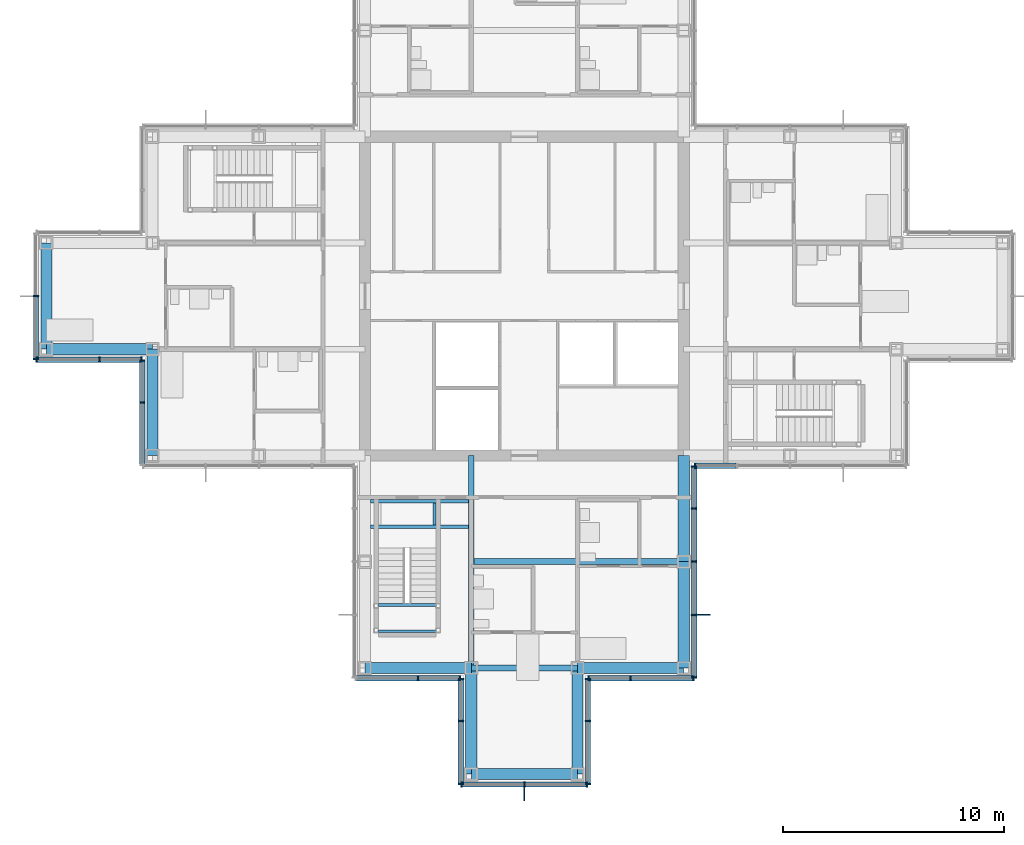
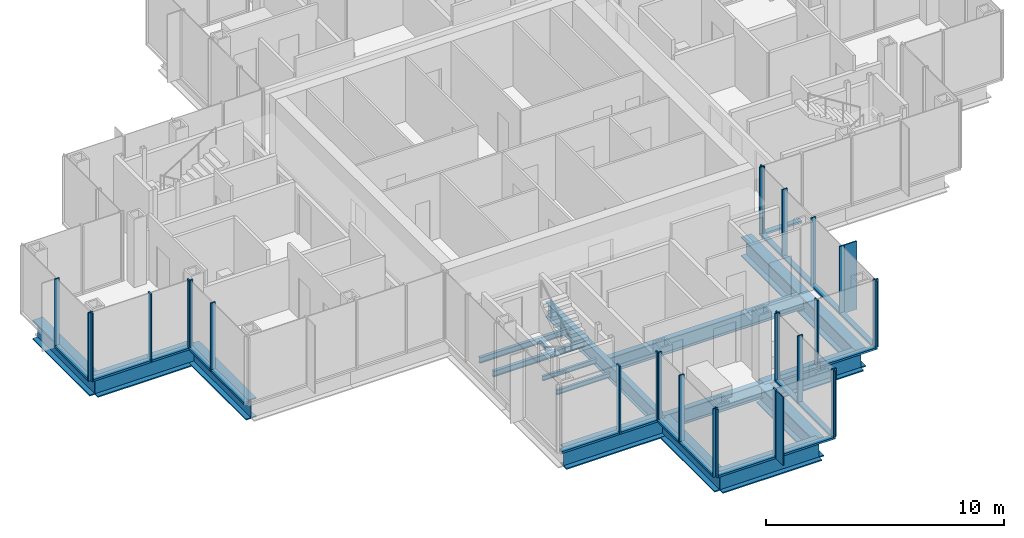
# One storey, part 6 of 17: 49 members, 18 beams, 10 elements without a shape of their own.
"""IFC4 building model written with IfcOpenShell, lengths in metres."""

from ifc_helpers import new_model, si_unit, direction, frame, origin, origin_2d, place, context, subcontext, project, spatial, rectangle, i_section, extrude, material, material_profile, profile_set, type_object, element, aggregate, save


model = new_model("IFC4")

# Units and contexts
model_context = context("Model", 3, precision=1e-05, world=origin(), true_north=direction((0.0, 1.0)))
body_context = subcontext(model_context, "Body", "Model", "MODEL_VIEW")
ifc_project = project(units=[si_unit("LENGTHUNIT", "METRE"), si_unit("AREAUNIT", "SQUARE_METRE"), si_unit("VOLUMEUNIT", "CUBIC_METRE"), si_unit("PLANEANGLEUNIT", "RADIAN"), si_unit("MASSUNIT", "GRAM", prefix="KILO")], contexts=[model_context])

# Site, building, storey
site_placement = place(None, origin())
site = spatial("IfcSite", under=ifc_project, at=site_placement, CompositionType="ELEMENT")
building_placement = place(site_placement, origin())
building = spatial("IfcBuilding", under=site, at=building_placement, Name="Kvirike Care Tower", CompositionType="ELEMENT")
storey_placement = place(building_placement, frame((0.0, 0.0, 176.0)))
storey = spatial("IfcBuildingStorey", under=building, at=storey_placement, Name="L48", CompositionType="ELEMENT", Elevation=176.0)

# Curtain wall, member
ifc_material_1 = material(Name="Anodised aluminium stick system", Category="aluminium")
curtain_wall_type = type_object("IfcCurtainWallType", Name="CW-C STICK CURTAIN WALL", PredefinedType="NOTDEFINED", material=ifc_material_1)
curtain_wall_1_placement = place(storey_placement, origin())
curtain_wall_1 = element("IfcCurtainWall", 1, at=curtain_wall_1_placement, inside=storey, type_object=curtain_wall_type, Name="Curtain wall L48 face 25", PredefinedType="NOTDEFINED")
ifc_material_2 = material(Name="Bronze anodised aluminium fin", Category="aluminium")
ifc_material_profile_1 = material_profile(ifc_material_2, rectangle(XDim=0.050048828125, YDim=0.60009765625, at=origin_2d()), Name="BRONZE FIN 600")
ifc_profile_set_1 = profile_set([ifc_material_profile_1], Name="Bronze anodised aluminium fin")
member_type_1 = type_object("IfcMemberType", Name="BRONZE FIN 600", PredefinedType="USERDEFINED", material=ifc_profile_set_1)
member_1_placement = place(storey_placement, frame((21.60009765625, 13.510009765625, 0.0), z_axis=(0.0, 0.0, 1.0), x_axis=(1.0, 0.0, 0.0)))
member_1 = element("IfcMember", 2, at=member_1_placement, type_object=member_type_1, Name="Bronze fin L48 face 25.2", ObjectType="FIN", PredefinedType="USERDEFINED", context=body_context, shape_type="SweptSolid", body=[
    extrude(rectangle(XDim=0.050048828125, YDim=0.60009765625, at=origin_2d()), origin(), (0.0, 0.0, 1.0), 3.5),
])

curtain_wall_2_placement = place(storey_placement, origin())
curtain_wall_2 = element("IfcCurtainWall", 3, at=curtain_wall_2_placement, inside=storey, type_object=curtain_wall_type, Name="Curtain wall L48 face 28", PredefinedType="NOTDEFINED")
member_2_placement = place(storey_placement, frame((29.68994140625, 21.60009765625, 0.0), z_axis=(0.0, 0.0, 1.0), x_axis=(0.0, 1.0, 0.0)))
member_2 = element("IfcMember", 4, at=member_2_placement, type_object=member_type_1, Name="Bronze fin L48 face 28.2", ObjectType="FIN", PredefinedType="USERDEFINED", context=body_context, shape_type="SweptSolid", body=[
    extrude(rectangle(XDim=0.050048828125, YDim=0.60009765625, at=origin_2d()), origin(), (0.0, 0.0, 1.0), 3.5),
])

curtain_wall_3_placement = place(storey_placement, origin())
curtain_wall_3 = element("IfcCurtainWall", 5, at=curtain_wall_3_placement, inside=storey, type_object=curtain_wall_type, Name="Curtain wall L48 face 1", PredefinedType="NOTDEFINED")
ifc_material_3 = material(Name="Bronze anodised aluminium mullion", Category="aluminium")
ifc_material_profile_2 = material_profile(ifc_material_3, rectangle(XDim=0.06494140625, YDim=0.239990234375, at=origin_2d()), Name="CW-C MULLION 65x240")
ifc_profile_set_2 = profile_set([ifc_material_profile_2], Name="Bronze anodised aluminium mullion")
member_type_2 = type_object("IfcMemberType", Name="CW-C MULLION 65x240", PredefinedType="MULLION", material=ifc_profile_set_2)
member_3_placement = place(storey_placement, frame((29.302490234375, 28.330078125, 0.0), z_axis=(0.0, 0.0, 1.0), x_axis=(1.0, 0.0, 0.0)))
member_3 = element("IfcMember", 6, at=member_3_placement, type_object=member_type_2, Name="CW-C mullion L48 face 1.1", PredefinedType="MULLION", context=body_context, shape_type="SweptSolid", body=[
    extrude(rectangle(XDim=0.06494140625, YDim=0.239990234375, at=origin_2d()), origin(), (0.0, 0.0, 1.0), 3.5),
])

# Curtain wall, members
curtain_wall_4_placement = place(storey_placement, origin())
curtain_wall_4 = element("IfcCurtainWall", 7, at=curtain_wall_4_placement, inside=storey, type_object=curtain_wall_type, Name="Curtain wall L48 face 18", PredefinedType="NOTDEFINED")
member_4_placement = place(storey_placement, frame((-0.469970703125, 36.0, 0.0), z_axis=(0.0, 0.0, 1.0), x_axis=(0.0, -1.0, 0.0)))
member_4 = element("IfcMember", 8, at=member_4_placement, type_object=member_type_2, Name="CW-C mullion L48 face 18.2", PredefinedType="MULLION", context=body_context, shape_type="SweptSolid", body=[
    extrude(rectangle(XDim=0.06494140625, YDim=0.239990234375, at=origin_2d()), origin(), (0.0, 0.0, 1.0), 3.5),
])
member_5_placement = place(storey_placement, frame((-0.469970703125, 33.16259765625, 0.0), z_axis=(0.0, 0.0, 1.0), x_axis=(0.0, -1.0, 0.0)))
member_5 = element("IfcMember", 9, at=member_5_placement, type_object=member_type_2, Name="CW-C mullion L48 face 18.3", PredefinedType="MULLION", context=body_context, shape_type="SweptSolid", body=[
    extrude(rectangle(XDim=0.06494140625, YDim=0.239990234375, at=origin_2d()), origin(), (0.0, 0.0, 1.0), 3.5),
])

curtain_wall_5_placement = place(storey_placement, origin())
curtain_wall_5 = element("IfcCurtainWall", 10, at=curtain_wall_5_placement, inside=storey, type_object=curtain_wall_type, Name="Curtain wall L48 face 19", PredefinedType="NOTDEFINED")
member_6_placement = place(storey_placement, frame((-0.4375, 33.1298828125, 0.0), z_axis=(0.0, 0.0, 1.0), x_axis=(1.0, 0.0, 0.0)))
member_6 = element("IfcMember", 11, at=member_6_placement, type_object=member_type_2, Name="CW-C mullion L48 face 19.1", PredefinedType="MULLION", context=body_context, shape_type="SweptSolid", body=[
    extrude(rectangle(XDim=0.06494140625, YDim=0.239990234375, at=origin_2d()), origin(), (0.0, 0.0, 1.0), 3.5),
])
member_7_placement = place(storey_placement, frame((2.39990234375, 33.1298828125, 0.0), z_axis=(0.0, 0.0, 1.0), x_axis=(1.0, 0.0, 0.0)))
member_7 = element("IfcMember", 12, at=member_7_placement, type_object=member_type_2, Name="CW-C mullion L48 face 19.2", PredefinedType="MULLION", context=body_context, shape_type="SweptSolid", body=[
    extrude(rectangle(XDim=0.06494140625, YDim=0.239990234375, at=origin_2d()), origin(), (0.0, 0.0, 1.0), 3.5),
])
member_8_placement = place(storey_placement, frame((4.297607421875, 33.1298828125, 0.0), z_axis=(0.0, 0.0, 1.0), x_axis=(1.0, 0.0, 0.0)))
member_8 = element("IfcMember", 13, at=member_8_placement, type_object=member_type_2, Name="CW-C mullion L48 face 19.3", PredefinedType="MULLION", context=body_context, shape_type="SweptSolid", body=[
    extrude(rectangle(XDim=0.06494140625, YDim=0.239990234375, at=origin_2d()), origin(), (0.0, 0.0, 1.0), 3.5),
])

curtain_wall_6_placement = place(storey_placement, origin())
curtain_wall_6 = element("IfcCurtainWall", 14, at=curtain_wall_6_placement, inside=storey, type_object=curtain_wall_type, Name="Curtain wall L48 face 20", PredefinedType="NOTDEFINED")
member_9_placement = place(storey_placement, frame((4.330078125, 33.097412109375, 0.0), z_axis=(0.0, 0.0, 1.0), x_axis=(0.0, -1.0, 0.0)))
member_9 = element("IfcMember", 15, at=member_9_placement, type_object=member_type_2, Name="CW-C mullion L48 face 20.1", PredefinedType="MULLION", context=body_context, shape_type="SweptSolid", body=[
    extrude(rectangle(XDim=0.06494140625, YDim=0.239990234375, at=origin_2d()), origin(), (0.0, 0.0, 1.0), 3.5),
])
member_10_placement = place(storey_placement, frame((4.330078125, 31.199951171875, 0.0), z_axis=(0.0, 0.0, 1.0), x_axis=(0.0, -1.0, 0.0)))
member_10 = element("IfcMember", 16, at=member_10_placement, type_object=member_type_2, Name="CW-C mullion L48 face 20.2", PredefinedType="MULLION", context=body_context, shape_type="SweptSolid", body=[
    extrude(rectangle(XDim=0.06494140625, YDim=0.239990234375, at=origin_2d()), origin(), (0.0, 0.0, 1.0), 3.5),
])

curtain_wall_7_placement = place(storey_placement, origin())
curtain_wall_7 = element("IfcCurtainWall", 17, at=curtain_wall_7_placement, inside=storey, type_object=curtain_wall_type, Name="Curtain wall L48 face 23", PredefinedType="NOTDEFINED")
member_11_placement = place(storey_placement, frame((16.800048828125, 18.72998046875, 0.0), z_axis=(0.0, 0.0, 1.0), x_axis=(1.0, 0.0, 0.0)))
member_11 = element("IfcMember", 18, at=member_11_placement, type_object=member_type_2, Name="CW-C mullion L48 face 23.2", PredefinedType="MULLION", context=body_context, shape_type="SweptSolid", body=[
    extrude(rectangle(XDim=0.06494140625, YDim=0.239990234375, at=origin_2d()), origin(), (0.0, 0.0, 1.0), 3.5),
])
member_12_placement = place(storey_placement, frame((18.697509765625, 18.72998046875, 0.0), z_axis=(0.0, 0.0, 1.0), x_axis=(1.0, 0.0, 0.0)))
member_12 = element("IfcMember", 19, at=member_12_placement, type_object=member_type_2, Name="CW-C mullion L48 face 23.3", PredefinedType="MULLION", context=body_context, shape_type="SweptSolid", body=[
    extrude(rectangle(XDim=0.06494140625, YDim=0.239990234375, at=origin_2d()), origin(), (0.0, 0.0, 1.0), 3.5),
])

curtain_wall_8_placement = place(storey_placement, origin())
curtain_wall_8 = element("IfcCurtainWall", 20, at=curtain_wall_8_placement, inside=storey, type_object=curtain_wall_type, Name="Curtain wall L48 face 24", PredefinedType="NOTDEFINED")
member_13_placement = place(storey_placement, frame((18.72998046875, 18.697509765625, 0.0), z_axis=(0.0, 0.0, 1.0), x_axis=(0.0, -1.0, 0.0)))
member_13 = element("IfcMember", 21, at=member_13_placement, type_object=member_type_2, Name="CW-C mullion L48 face 24.1", PredefinedType="MULLION", context=body_context, shape_type="SweptSolid", body=[
    extrude(rectangle(XDim=0.06494140625, YDim=0.239990234375, at=origin_2d()), origin(), (0.0, 0.0, 1.0), 3.5),
])
member_14_placement = place(storey_placement, frame((18.72998046875, 16.800048828125, 0.0), z_axis=(0.0, 0.0, 1.0), x_axis=(0.0, -1.0, 0.0)))
member_14 = element("IfcMember", 22, at=member_14_placement, type_object=member_type_2, Name="CW-C mullion L48 face 24.2", PredefinedType="MULLION", context=body_context, shape_type="SweptSolid", body=[
    extrude(rectangle(XDim=0.06494140625, YDim=0.239990234375, at=origin_2d()), origin(), (0.0, 0.0, 1.0), 3.5),
])
member_15_placement = place(storey_placement, frame((18.72998046875, 13.96240234375, 0.0), z_axis=(0.0, 0.0, 1.0), x_axis=(0.0, -1.0, 0.0)))
member_15 = element("IfcMember", 23, at=member_15_placement, type_object=member_type_2, Name="CW-C mullion L48 face 24.3", PredefinedType="MULLION", context=body_context, shape_type="SweptSolid", body=[
    extrude(rectangle(XDim=0.06494140625, YDim=0.239990234375, at=origin_2d()), origin(), (0.0, 0.0, 1.0), 3.5),
])

# Member
member_16_placement = place(storey_placement, frame((18.762451171875, 13.929931640625, 0.0), z_axis=(0.0, 0.0, 1.0), x_axis=(1.0, 0.0, 0.0)))
member_16 = element("IfcMember", 24, at=member_16_placement, type_object=member_type_2, Name="CW-C mullion L48 face 25.1", PredefinedType="MULLION", context=body_context, shape_type="SweptSolid", body=[
    extrude(rectangle(XDim=0.06494140625, YDim=0.239990234375, at=origin_2d()), origin(), (0.0, 0.0, 1.0), 3.5),
])

member_17_placement = place(storey_placement, frame((21.60009765625, 13.929931640625, 0.0), z_axis=(0.0, 0.0, 1.0), x_axis=(1.0, 0.0, 0.0)))
member_17 = element("IfcMember", 25, at=member_17_placement, type_object=member_type_2, Name="CW-C mullion L48 face 25.2", PredefinedType="MULLION", context=body_context, shape_type="SweptSolid", body=[
    extrude(rectangle(XDim=0.06494140625, YDim=0.239990234375, at=origin_2d()), origin(), (0.0, 0.0, 1.0), 3.5),
])

member_18_placement = place(storey_placement, frame((24.4375, 13.929931640625, 0.0), z_axis=(0.0, 0.0, 1.0), x_axis=(1.0, 0.0, 0.0)))
member_18 = element("IfcMember", 26, at=member_18_placement, type_object=member_type_2, Name="CW-C mullion L48 face 25.3", PredefinedType="MULLION", context=body_context, shape_type="SweptSolid", body=[
    extrude(rectangle(XDim=0.06494140625, YDim=0.239990234375, at=origin_2d()), origin(), (0.0, 0.0, 1.0), 3.5),
])

# Curtain wall, members
curtain_wall_9_placement = place(storey_placement, origin())
curtain_wall_9 = element("IfcCurtainWall", 27, at=curtain_wall_9_placement, inside=storey, type_object=curtain_wall_type, Name="Curtain wall L48 face 26", PredefinedType="NOTDEFINED")
member_19_placement = place(storey_placement, frame((24.469970703125, 13.96240234375, 0.0), z_axis=(0.0, 0.0, 1.0), x_axis=(0.0, 1.0, 0.0)))
member_19 = element("IfcMember", 28, at=member_19_placement, type_object=member_type_2, Name="CW-C mullion L48 face 26.1", PredefinedType="MULLION", context=body_context, shape_type="SweptSolid", body=[
    extrude(rectangle(XDim=0.06494140625, YDim=0.239990234375, at=origin_2d()), origin(), (0.0, 0.0, 1.0), 3.5),
])
member_20_placement = place(storey_placement, frame((24.469970703125, 16.800048828125, 0.0), z_axis=(0.0, 0.0, 1.0), x_axis=(0.0, 1.0, 0.0)))
member_20 = element("IfcMember", 29, at=member_20_placement, type_object=member_type_2, Name="CW-C mullion L48 face 26.2", PredefinedType="MULLION", context=body_context, shape_type="SweptSolid", body=[
    extrude(rectangle(XDim=0.06494140625, YDim=0.239990234375, at=origin_2d()), origin(), (0.0, 0.0, 1.0), 3.5),
])
member_21_placement = place(storey_placement, frame((24.469970703125, 18.697509765625, 0.0), z_axis=(0.0, 0.0, 1.0), x_axis=(0.0, 1.0, 0.0)))
member_21 = element("IfcMember", 30, at=member_21_placement, type_object=member_type_2, Name="CW-C mullion L48 face 26.3", PredefinedType="MULLION", context=body_context, shape_type="SweptSolid", body=[
    extrude(rectangle(XDim=0.06494140625, YDim=0.239990234375, at=origin_2d()), origin(), (0.0, 0.0, 1.0), 3.5),
])

curtain_wall_10_placement = place(storey_placement, origin())
curtain_wall_10 = element("IfcCurtainWall", 31, at=curtain_wall_10_placement, inside=storey, type_object=curtain_wall_type, Name="Curtain wall L48 face 27", PredefinedType="NOTDEFINED")
member_22_placement = place(storey_placement, frame((24.50244140625, 18.72998046875, 0.0), z_axis=(0.0, 0.0, 1.0), x_axis=(1.0, 0.0, 0.0)))
member_22 = element("IfcMember", 32, at=member_22_placement, type_object=member_type_2, Name="CW-C mullion L48 face 27.1", PredefinedType="MULLION", context=body_context, shape_type="SweptSolid", body=[
    extrude(rectangle(XDim=0.06494140625, YDim=0.239990234375, at=origin_2d()), origin(), (0.0, 0.0, 1.0), 3.5),
])
member_23_placement = place(storey_placement, frame((26.39990234375, 18.72998046875, 0.0), z_axis=(0.0, 0.0, 1.0), x_axis=(1.0, 0.0, 0.0)))
member_23 = element("IfcMember", 33, at=member_23_placement, type_object=member_type_2, Name="CW-C mullion L48 face 27.2", PredefinedType="MULLION", context=body_context, shape_type="SweptSolid", body=[
    extrude(rectangle(XDim=0.06494140625, YDim=0.239990234375, at=origin_2d()), origin(), (0.0, 0.0, 1.0), 3.5),
])
member_24_placement = place(storey_placement, frame((29.237548828125, 18.72998046875, 0.0), z_axis=(0.0, 0.0, 1.0), x_axis=(1.0, 0.0, 0.0)))
member_24 = element("IfcMember", 34, at=member_24_placement, type_object=member_type_2, Name="CW-C mullion L48 face 27.3", PredefinedType="MULLION", context=body_context, shape_type="SweptSolid", body=[
    extrude(rectangle(XDim=0.06494140625, YDim=0.239990234375, at=origin_2d()), origin(), (0.0, 0.0, 1.0), 3.5),
])

# Member
member_25_placement = place(storey_placement, frame((29.27001953125, 18.762451171875, 0.0), z_axis=(0.0, 0.0, 1.0), x_axis=(0.0, 1.0, 0.0)))
member_25 = element("IfcMember", 35, at=member_25_placement, type_object=member_type_2, Name="CW-C mullion L48 face 28.1", PredefinedType="MULLION", context=body_context, shape_type="SweptSolid", body=[
    extrude(rectangle(XDim=0.06494140625, YDim=0.239990234375, at=origin_2d()), origin(), (0.0, 0.0, 1.0), 3.5),
])

member_26_placement = place(storey_placement, frame((29.27001953125, 21.60009765625, 0.0), z_axis=(0.0, 0.0, 1.0), x_axis=(0.0, 1.0, 0.0)))
member_26 = element("IfcMember", 36, at=member_26_placement, type_object=member_type_2, Name="CW-C mullion L48 face 28.2", PredefinedType="MULLION", context=body_context, shape_type="SweptSolid", body=[
    extrude(rectangle(XDim=0.06494140625, YDim=0.239990234375, at=origin_2d()), origin(), (0.0, 0.0, 1.0), 3.5),
])

member_27_placement = place(storey_placement, frame((29.27001953125, 24.0, 0.0), z_axis=(0.0, 0.0, 1.0), x_axis=(0.0, 1.0, 0.0)))
member_27 = element("IfcMember", 37, at=member_27_placement, type_object=member_type_2, Name="CW-C mullion L48 face 28.3", PredefinedType="MULLION", context=body_context, shape_type="SweptSolid", body=[
    extrude(rectangle(XDim=0.06494140625, YDim=0.239990234375, at=origin_2d()), origin(), (0.0, 0.0, 1.0), 3.5),
])

member_28_placement = place(storey_placement, frame((29.27001953125, 26.39990234375, 0.0), z_axis=(0.0, 0.0, 1.0), x_axis=(0.0, 1.0, 0.0)))
member_28 = element("IfcMember", 38, at=member_28_placement, type_object=member_type_2, Name="CW-C mullion L48 face 28.4", PredefinedType="MULLION", context=body_context, shape_type="SweptSolid", body=[
    extrude(rectangle(XDim=0.06494140625, YDim=0.239990234375, at=origin_2d()), origin(), (0.0, 0.0, 1.0), 3.5),
])

member_29_placement = place(storey_placement, frame((29.27001953125, 28.297607421875, 0.0), z_axis=(0.0, 0.0, 1.0), x_axis=(0.0, 1.0, 0.0)))
member_29 = element("IfcMember", 39, at=member_29_placement, type_object=member_type_2, Name="CW-C mullion L48 face 28.5", PredefinedType="MULLION", context=body_context, shape_type="SweptSolid", body=[
    extrude(rectangle(XDim=0.06494140625, YDim=0.239990234375, at=origin_2d()), origin(), (0.0, 0.0, 1.0), 3.5),
])

ifc_material_4 = material(Name="Bronze anodised aluminium transom", Category="aluminium")
ifc_material_profile_3 = material_profile(ifc_material_4, rectangle(XDim=0.239990234375, YDim=0.10009765625, at=origin_2d()), Name="CW-C TRANSOM 240x100")
ifc_profile_set_3 = profile_set([ifc_material_profile_3], Name="Bronze anodised aluminium transom")
member_type_3 = type_object("IfcMemberType", Name="CW-C TRANSOM 240x100", PredefinedType="USERDEFINED", material=ifc_profile_set_3)
member_30_placement = place(storey_placement, frame((29.3349609375, 28.330078125, 0.050048828125), z_axis=(1.0, 0.0, 0.0), x_axis=(0.0, 1.0, 0.0)))
member_30 = element("IfcMember", 40, at=member_30_placement, type_object=member_type_3, Name="CW-C sill transom L48 face 1.1", ObjectType="TRANSOM", PredefinedType="USERDEFINED", context=body_context, shape_type="SweptSolid", body=[
    extrude(rectangle(XDim=0.239990234375, YDim=0.10009765625, at=origin_2d()), origin(), (0.0, 0.0, 1.0), 1.83251953125),
])

aggregate(curtain_wall_3, [member_3, member_30])

member_31_placement = place(storey_placement, frame((-0.469970703125, 35.967529296875, 0.050048828125), z_axis=(0.0, -1.0, 0.0), x_axis=(1.0, 0.0, 0.0)))
member_31 = element("IfcMember", 41, at=member_31_placement, type_object=member_type_3, Name="CW-C sill transom L48 face 18.2", ObjectType="TRANSOM", PredefinedType="USERDEFINED", context=body_context, shape_type="SweptSolid", body=[
    extrude(rectangle(XDim=0.239990234375, YDim=0.10009765625, at=origin_2d()), origin(), (0.0, 0.0, 1.0), 2.7724609375),
])

aggregate(curtain_wall_4, [member_4, member_5, member_31])

member_32_placement = place(storey_placement, frame((-0.405029296875, 33.1298828125, 0.050048828125), z_axis=(1.0, 0.0, 0.0), x_axis=(0.0, 1.0, 0.0)))
member_32 = element("IfcMember", 42, at=member_32_placement, type_object=member_type_3, Name="CW-C sill transom L48 face 19.1", ObjectType="TRANSOM", PredefinedType="USERDEFINED", context=body_context, shape_type="SweptSolid", body=[
    extrude(rectangle(XDim=0.239990234375, YDim=0.10009765625, at=origin_2d()), origin(), (0.0, 0.0, 1.0), 2.7724609375),
])

member_33_placement = place(storey_placement, frame((2.4326171875, 33.1298828125, 0.050048828125), z_axis=(1.0, 0.0, 0.0), x_axis=(0.0, 1.0, 0.0)))
member_33 = element("IfcMember", 43, at=member_33_placement, type_object=member_type_3, Name="CW-C sill transom L48 face 19.2", ObjectType="TRANSOM", PredefinedType="USERDEFINED", context=body_context, shape_type="SweptSolid", body=[
    extrude(rectangle(XDim=0.239990234375, YDim=0.10009765625, at=origin_2d()), origin(), (0.0, 0.0, 1.0), 1.832275390625),
])

aggregate(curtain_wall_5, [member_6, member_7, member_8, member_32, member_33])

member_34_placement = place(storey_placement, frame((4.330078125, 33.06494140625, 0.050048828125), z_axis=(0.0, -1.0, 0.0), x_axis=(1.0, 0.0, 0.0)))
member_34 = element("IfcMember", 44, at=member_34_placement, type_object=member_type_3, Name="CW-C sill transom L48 face 20.1", ObjectType="TRANSOM", PredefinedType="USERDEFINED", context=body_context, shape_type="SweptSolid", body=[
    extrude(rectangle(XDim=0.239990234375, YDim=0.10009765625, at=origin_2d()), origin(), (0.0, 0.0, 1.0), 1.83251953125),
])

member_35_placement = place(storey_placement, frame((4.330078125, 31.16748046875, 0.050048828125), z_axis=(0.0, -1.0, 0.0), x_axis=(1.0, 0.0, 0.0)))
member_35 = element("IfcMember", 45, at=member_35_placement, type_object=member_type_3, Name="CW-C sill transom L48 face 20.2", ObjectType="TRANSOM", PredefinedType="USERDEFINED", context=body_context, shape_type="SweptSolid", body=[
    extrude(rectangle(XDim=0.239990234375, YDim=0.10009765625, at=origin_2d()), origin(), (0.0, 0.0, 1.0), 2.7724609375),
])

aggregate(curtain_wall_6, [member_9, member_10, member_34, member_35])

member_36_placement = place(storey_placement, frame((13.9951171875, 18.72998046875, 0.050048828125), z_axis=(1.0, 0.0, 0.0), x_axis=(0.0, 1.0, 0.0)))
member_36 = element("IfcMember", 46, at=member_36_placement, type_object=member_type_3, Name="CW-C sill transom L48 face 23.1", ObjectType="TRANSOM", PredefinedType="USERDEFINED", context=body_context, shape_type="SweptSolid", body=[
    extrude(rectangle(XDim=0.239990234375, YDim=0.10009765625, at=origin_2d()), origin(), (0.0, 0.0, 1.0), 2.7724609375),
])

member_37_placement = place(storey_placement, frame((16.83251953125, 18.72998046875, 0.050048828125), z_axis=(1.0, 0.0, 0.0), x_axis=(0.0, 1.0, 0.0)))
member_37 = element("IfcMember", 47, at=member_37_placement, type_object=member_type_3, Name="CW-C sill transom L48 face 23.2", ObjectType="TRANSOM", PredefinedType="USERDEFINED", context=body_context, shape_type="SweptSolid", body=[
    extrude(rectangle(XDim=0.239990234375, YDim=0.10009765625, at=origin_2d()), origin(), (0.0, 0.0, 1.0), 1.83251953125),
])

aggregate(curtain_wall_7, [member_11, member_12, member_36, member_37])

member_38_placement = place(storey_placement, frame((18.72998046875, 18.6650390625, 0.050048828125), z_axis=(0.0, -1.0, 0.0), x_axis=(1.0, 0.0, 0.0)))
member_38 = element("IfcMember", 48, at=member_38_placement, type_object=member_type_3, Name="CW-C sill transom L48 face 24.1", ObjectType="TRANSOM", PredefinedType="USERDEFINED", context=body_context, shape_type="SweptSolid", body=[
    extrude(rectangle(XDim=0.239990234375, YDim=0.10009765625, at=origin_2d()), origin(), (0.0, 0.0, 1.0), 1.83251953125),
])

member_39_placement = place(storey_placement, frame((18.72998046875, 16.767578125, 0.050048828125), z_axis=(0.0, -1.0, 0.0), x_axis=(1.0, 0.0, 0.0)))
member_39 = element("IfcMember", 49, at=member_39_placement, type_object=member_type_3, Name="CW-C sill transom L48 face 24.2", ObjectType="TRANSOM", PredefinedType="USERDEFINED", context=body_context, shape_type="SweptSolid", body=[
    extrude(rectangle(XDim=0.239990234375, YDim=0.10009765625, at=origin_2d()), origin(), (0.0, 0.0, 1.0), 2.7724609375),
])

aggregate(curtain_wall_8, [member_13, member_14, member_15, member_38, member_39])

member_40_placement = place(storey_placement, frame((18.794921875, 13.929931640625, 0.050048828125), z_axis=(1.0, 0.0, 0.0), x_axis=(0.0, 1.0, 0.0)))
member_40 = element("IfcMember", 50, at=member_40_placement, type_object=member_type_3, Name="CW-C sill transom L48 face 25.1", ObjectType="TRANSOM", PredefinedType="USERDEFINED", context=body_context, shape_type="SweptSolid", body=[
    extrude(rectangle(XDim=0.239990234375, YDim=0.10009765625, at=origin_2d()), origin(), (0.0, 0.0, 1.0), 2.7724609375),
])

member_41_placement = place(storey_placement, frame((21.632568359375, 13.929931640625, 0.050048828125), z_axis=(1.0, 0.0, 0.0), x_axis=(0.0, 1.0, 0.0)))
member_41 = element("IfcMember", 51, at=member_41_placement, type_object=member_type_3, Name="CW-C sill transom L48 face 25.2", ObjectType="TRANSOM", PredefinedType="USERDEFINED", context=body_context, shape_type="SweptSolid", body=[
    extrude(rectangle(XDim=0.239990234375, YDim=0.10009765625, at=origin_2d()), origin(), (0.0, 0.0, 1.0), 2.7724609375),
])

aggregate(curtain_wall_1, [member_16, member_17, member_1, member_18, member_40, member_41])

member_42_placement = place(storey_placement, frame((24.469970703125, 13.9951171875, 0.050048828125), z_axis=(0.0, 1.0, 0.0), x_axis=(-1.0, 0.0, 0.0)))
member_42 = element("IfcMember", 52, at=member_42_placement, type_object=member_type_3, Name="CW-C sill transom L48 face 26.1", ObjectType="TRANSOM", PredefinedType="USERDEFINED", context=body_context, shape_type="SweptSolid", body=[
    extrude(rectangle(XDim=0.239990234375, YDim=0.10009765625, at=origin_2d()), origin(), (0.0, 0.0, 1.0), 2.7724609375),
])

member_43_placement = place(storey_placement, frame((24.469970703125, 16.83251953125, 0.050048828125), z_axis=(0.0, 1.0, 0.0), x_axis=(-1.0, 0.0, 0.0)))
member_43 = element("IfcMember", 53, at=member_43_placement, type_object=member_type_3, Name="CW-C sill transom L48 face 26.2", ObjectType="TRANSOM", PredefinedType="USERDEFINED", context=body_context, shape_type="SweptSolid", body=[
    extrude(rectangle(XDim=0.239990234375, YDim=0.10009765625, at=origin_2d()), origin(), (0.0, 0.0, 1.0), 1.83251953125),
])

aggregate(curtain_wall_9, [member_19, member_20, member_21, member_42, member_43])

member_44_placement = place(storey_placement, frame((24.534912109375, 18.72998046875, 0.050048828125), z_axis=(1.0, 0.0, 0.0), x_axis=(0.0, 1.0, 0.0)))
member_44 = element("IfcMember", 54, at=member_44_placement, type_object=member_type_3, Name="CW-C sill transom L48 face 27.1", ObjectType="TRANSOM", PredefinedType="USERDEFINED", context=body_context, shape_type="SweptSolid", body=[
    extrude(rectangle(XDim=0.239990234375, YDim=0.10009765625, at=origin_2d()), origin(), (0.0, 0.0, 1.0), 1.83251953125),
])

member_45_placement = place(storey_placement, frame((26.4326171875, 18.72998046875, 0.050048828125), z_axis=(1.0, 0.0, 0.0), x_axis=(0.0, 1.0, 0.0)))
member_45 = element("IfcMember", 55, at=member_45_placement, type_object=member_type_3, Name="CW-C sill transom L48 face 27.2", ObjectType="TRANSOM", PredefinedType="USERDEFINED", context=body_context, shape_type="SweptSolid", body=[
    extrude(rectangle(XDim=0.239990234375, YDim=0.10009765625, at=origin_2d()), origin(), (0.0, 0.0, 1.0), 2.7724609375),
])

aggregate(curtain_wall_10, [member_22, member_23, member_24, member_44, member_45])

member_46_placement = place(storey_placement, frame((29.27001953125, 18.794921875, 0.050048828125), z_axis=(0.0, 1.0, 0.0), x_axis=(-1.0, 0.0, 0.0)))
member_46 = element("IfcMember", 56, at=member_46_placement, type_object=member_type_3, Name="CW-C sill transom L48 face 28.1", ObjectType="TRANSOM", PredefinedType="USERDEFINED", context=body_context, shape_type="SweptSolid", body=[
    extrude(rectangle(XDim=0.239990234375, YDim=0.10009765625, at=origin_2d()), origin(), (0.0, 0.0, 1.0), 2.7724609375),
])

member_47_placement = place(storey_placement, frame((29.27001953125, 21.632568359375, 0.050048828125), z_axis=(0.0, 1.0, 0.0), x_axis=(-1.0, 0.0, 0.0)))
member_47 = element("IfcMember", 57, at=member_47_placement, type_object=member_type_3, Name="CW-C sill transom L48 face 28.2", ObjectType="TRANSOM", PredefinedType="USERDEFINED", context=body_context, shape_type="SweptSolid", body=[
    extrude(rectangle(XDim=0.239990234375, YDim=0.10009765625, at=origin_2d()), origin(), (0.0, 0.0, 1.0), 2.3349609375),
])

member_48_placement = place(storey_placement, frame((29.27001953125, 24.032470703125, 0.050048828125), z_axis=(0.0, 1.0, 0.0), x_axis=(-1.0, 0.0, 0.0)))
member_48 = element("IfcMember", 58, at=member_48_placement, type_object=member_type_3, Name="CW-C sill transom L48 face 28.3", ObjectType="TRANSOM", PredefinedType="USERDEFINED", context=body_context, shape_type="SweptSolid", body=[
    extrude(rectangle(XDim=0.239990234375, YDim=0.10009765625, at=origin_2d()), origin(), (0.0, 0.0, 1.0), 2.3349609375),
])

member_49_placement = place(storey_placement, frame((29.27001953125, 26.4326171875, 0.050048828125), z_axis=(0.0, 1.0, 0.0), x_axis=(-1.0, 0.0, 0.0)))
member_49 = element("IfcMember", 59, at=member_49_placement, type_object=member_type_3, Name="CW-C sill transom L48 face 28.4", ObjectType="TRANSOM", PredefinedType="USERDEFINED", context=body_context, shape_type="SweptSolid", body=[
    extrude(rectangle(XDim=0.239990234375, YDim=0.10009765625, at=origin_2d()), origin(), (0.0, 0.0, 1.0), 1.832275390625),
])

aggregate(curtain_wall_2, [member_25, member_26, member_2, member_27, member_28, member_29, member_46, member_47, member_48, member_49])

# Beams
ifc_material_5 = material(Name="Steel S355", Category="steel")
ifc_material_profile_4 = material_profile(ifc_material_5, i_section(OverallWidth=0.26806640625, OverallDepth=0.77001953125, WebThickness=0.015625, FlangeThickness=0.025390625, FilletRadius=0.01708984375, at=origin_2d()), Name="IPE 750x196")
ifc_profile_set_4 = profile_set([ifc_material_profile_4], Name="Steel S355")
beam_type_1 = type_object("IfcBeamType", Name="FLOOR BEAM IPE 750x196", PredefinedType="BEAM", material=ifc_profile_set_4)
beam_1_placement = place(storey_placement, frame((19.199951171875, 19.199951171875, -0.554931640625), z_axis=(1.0, 0.0, 0.0), x_axis=(0.0, 1.0, 0.0)))
element("IfcBeam", 60, at=beam_1_placement, inside=storey, type_object=beam_type_1, Name="Floor Beam E7-E8 L48", PredefinedType="BEAM", context=body_context, shape_type="SweptSolid", body=[
    extrude(i_section(OverallWidth=0.26806640625, OverallDepth=0.77001953125, WebThickness=0.015625, FlangeThickness=0.025390625, FilletRadius=0.01708984375, at=origin_2d()), origin(), (0.0, 0.0, 1.0), 4.800048828125),
])
for number, where, z_axis, x_axis, name in (
    (61, (19.199951171875, 24.0, -0.554931640625), (1.0, 0.0, 0.0), (0.0, 1.0, 0.0), "Floor Beam F7-F9 L48"),
    (62, (19.199951171875, 19.199951171875, -0.554931640625), (0.0, 1.0, 0.0), (-1.0, 0.0, 0.0), "Floor Beam E7-G7 L48"),
):
    element("IfcBeam", number, at=place(storey_placement, frame(where, z_axis=z_axis, x_axis=x_axis)), inside=storey, type_object=beam_type_1, Name=name, PredefinedType="BEAM", context=body_context, shape_type="SweptSolid", body=[
        extrude(i_section(OverallWidth=0.26806640625, OverallDepth=0.77001953125, WebThickness=0.015625, FlangeThickness=0.025390625, FilletRadius=0.01708984375, at=origin_2d()), origin(), (0.0, 0.0, 1.0), 9.60009765625),
    ])
ifc_material_6 = material(Name="Steel S355", Category="steel")
ifc_material_profile_5 = material_profile(ifc_material_6, i_section(OverallWidth=0.5, OverallDepth=1.0, WebThickness=0.030029296875, FlangeThickness=0.06005859375, at=origin_2d()), Name="PG 1000x500x30x60")
ifc_profile_set_5 = profile_set([ifc_material_profile_5], Name="Steel S355")
beam_type_2 = type_object("IfcBeamType", Name="SPANDREL PG 1000x500x30x60", PredefinedType="SPANDREL", material=ifc_profile_set_5)
for number, where, z_axis, x_axis, name in (
    (63, (19.199951171875, 14.39990234375, -0.669921875), (1.0, 0.0, 0.0), (0.0, 1.0, 0.0), "Spandrel D7-D8 L48"),
    (64, (14.39990234375, 19.199951171875, -0.669921875), (1.0, 0.0, 0.0), (0.0, 1.0, 0.0), "Spandrel E6-E7 L48"),
    (65, (24.0, 19.199951171875, -0.669921875), (1.0, 0.0, 0.0), (0.0, 1.0, 0.0), "Spandrel E8-E9 L48"),
    (66, (0.0, 33.60009765625, -0.669921875), (1.0, 0.0, 0.0), (0.0, 1.0, 0.0), "Spandrel H3-H4 L48"),
):
    element("IfcBeam", number, at=place(storey_placement, frame(where, z_axis=z_axis, x_axis=x_axis)), inside=storey, type_object=beam_type_2, Name=name, PredefinedType="SPANDREL", context=body_context, shape_type="SweptSolid", body=[
        extrude(i_section(OverallWidth=0.5, OverallDepth=1.0, WebThickness=0.030029296875, FlangeThickness=0.06005859375, at=origin_2d()), origin(), (0.0, 0.0, 1.0), 4.800048828125),
    ])
beam_2_placement = place(storey_placement, frame((0.0, 33.60009765625, -0.669921875), z_axis=(0.0, 1.0, 0.0), x_axis=(-1.0, 0.0, 0.0)))
element("IfcBeam", 67, at=beam_2_placement, inside=storey, type_object=beam_type_2, Name="Spandrel H3-J3 L48", PredefinedType="SPANDREL", context=body_context, shape_type="SweptSolid", body=[
    extrude(i_section(OverallWidth=0.5, OverallDepth=1.0, WebThickness=0.030029296875, FlangeThickness=0.06005859375, at=origin_2d()), origin(), (0.0, 0.0, 1.0), 4.7998046875),
])
for number, where, z_axis, x_axis, name in (
    (68, (4.800048828125, 28.800048828125, -0.669921875), (0.0, 1.0, 0.0), (-1.0, 0.0, 0.0), "Spandrel G4-H4 L48"),
    (69, (19.199951171875, 14.39990234375, -0.669921875), (0.0, 1.0, 0.0), (-1.0, 0.0, 0.0), "Spandrel D7-E7 L48"),
    (70, (24.0, 14.39990234375, -0.669921875), (0.0, 1.0, 0.0), (-1.0, 0.0, 0.0), "Spandrel D8-E8 L48"),
    (71, (28.800048828125, 19.199951171875, -0.669921875), (0.0, 1.0, 0.0), (-1.0, 0.0, 0.0), "Spandrel E9-F9 L48"),
    (72, (28.800048828125, 24.0, -0.669921875), (0.0, 1.0, 0.0), (-1.0, 0.0, 0.0), "Spandrel F9-G9 L48"),
):
    element("IfcBeam", number, at=place(storey_placement, frame(where, z_axis=z_axis, x_axis=x_axis)), inside=storey, type_object=beam_type_2, Name=name, PredefinedType="SPANDREL", context=body_context, shape_type="SweptSolid", body=[
        extrude(i_section(OverallWidth=0.5, OverallDepth=1.0, WebThickness=0.030029296875, FlangeThickness=0.06005859375, at=origin_2d()), origin(), (0.0, 0.0, 1.0), 4.800048828125),
    ])
ifc_material_7 = material(Name="Steel S355", Category="steel")
ifc_material_profile_6 = material_profile(ifc_material_7, i_section(OverallWidth=0.1201171875, OverallDepth=0.239990234375, WebThickness=0.006103515625, FlangeThickness=0.009765625, FilletRadius=0.014892578125, at=origin_2d()), Name="IPE 240")
ifc_profile_set_6 = profile_set([ifc_material_profile_6], Name="Steel S355")
beam_type_3 = type_object("IfcBeamType", Name="STAIR LANDING BEAM IPE 240", PredefinedType="BEAM", material=ifc_profile_set_6)
for number, where, z_axis, x_axis, name in (
    (73, (15.0, 20.860107421875, 1.429931640625), (1.0, 0.0, 0.0), (0.0, 1.0, 0.0), "Stair 5 landing beam back L48"),
    (74, (15.0, 22.0400390625, 1.429931640625), (1.0, 0.0, 0.0), (0.0, 1.0, 0.0), "Stair 5 landing beam front L48"),
):
    element("IfcBeam", number, at=place(storey_placement, frame(where, z_axis=z_axis, x_axis=x_axis)), inside=storey, type_object=beam_type_3, Name=name, PredefinedType="BEAM", context=body_context, shape_type="SweptSolid", body=[
        extrude(i_section(OverallWidth=0.1201171875, OverallDepth=0.239990234375, WebThickness=0.006103515625, FlangeThickness=0.009765625, FilletRadius=0.014892578125, at=origin_2d()), origin(), (0.0, 0.0, 1.0), 2.60009765625),
    ])
beam_3_placement = place(storey_placement, frame((17.5400390625, 25.64990234375, -0.320068359375), z_axis=(0.0, 1.0, 0.0), x_axis=(-1.0, 0.0, 0.0)))
element("IfcBeam", 75, at=beam_3_placement, inside=storey, type_object=beam_type_3, Name="Stair 5 landing edge beam 2 L48", PredefinedType="BEAM", context=body_context, shape_type="SweptSolid", body=[
    extrude(i_section(OverallWidth=0.1201171875, OverallDepth=0.239990234375, WebThickness=0.006103515625, FlangeThickness=0.009765625, FilletRadius=0.014892578125, at=origin_2d()), origin(), (0.0, 0.0, 1.0), 1.0),
])
ifc_material_8 = material(Name="Steel S355", Category="steel")
ifc_material_profile_7 = material_profile(ifc_material_8, i_section(OverallWidth=0.14990234375, OverallDepth=0.300048828125, WebThickness=0.007080078125, FlangeThickness=0.0107421875, FilletRadius=0.014892578125, at=origin_2d()), Name="IPE 300")
ifc_profile_set_7 = profile_set([ifc_material_profile_7], Name="Steel S355")
beam_type_4 = type_object("IfcBeamType", Name="STAIR TRIMMER IPE 300", PredefinedType="BEAM", material=ifc_profile_set_7)
for number, where, z_axis, x_axis, name in (
    (76, (14.64990234375, 25.574951171875, -0.35009765625), (1.0, 0.0, 0.0), (0.0, 1.0, 0.0), "Stair 5 trimmer 1 L48"),
    (77, (14.64990234375, 26.72509765625, -0.35009765625), (1.0, 0.0, 0.0), (0.0, 1.0, 0.0), "Stair 5 trimmer 2 L48"),
):
    element("IfcBeam", number, at=place(storey_placement, frame(where, z_axis=z_axis, x_axis=x_axis)), inside=storey, type_object=beam_type_4, Name=name, PredefinedType="BEAM", context=body_context, shape_type="SweptSolid", body=[
        extrude(i_section(OverallWidth=0.14990234375, OverallDepth=0.300048828125, WebThickness=0.007080078125, FlangeThickness=0.0107421875, FilletRadius=0.014892578125, at=origin_2d()), origin(), (0.0, 0.0, 1.0), 4.416015625),
    ])

save(model, "model.ifc")
